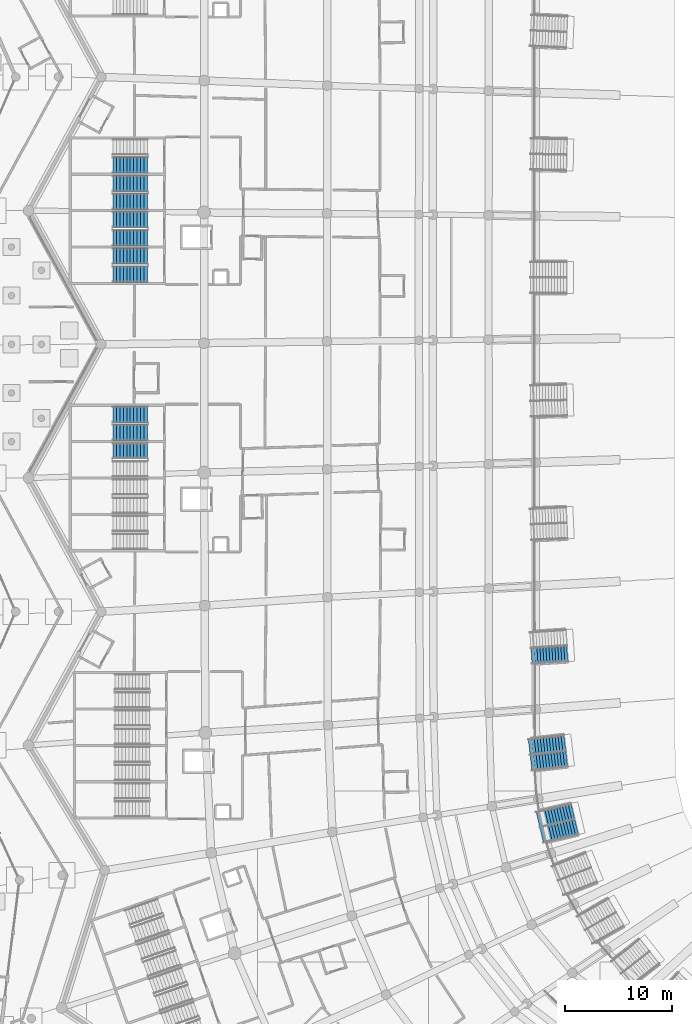
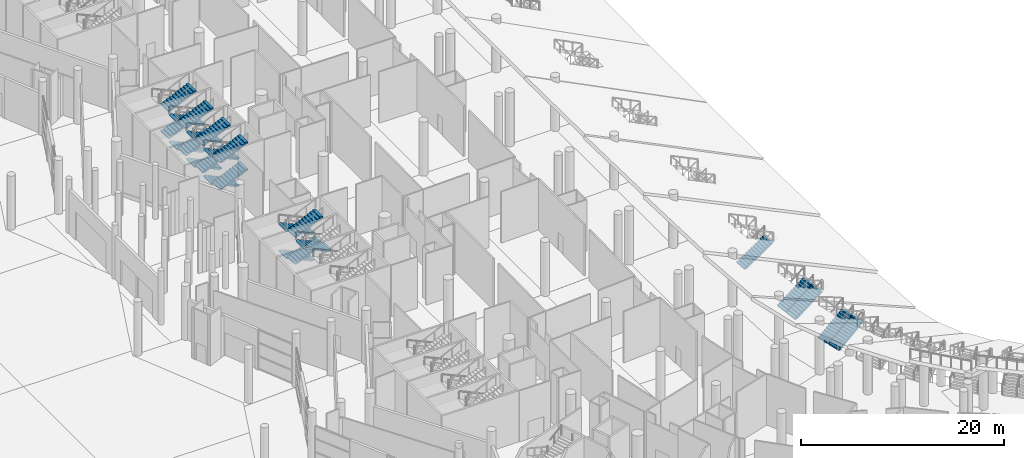
# One storey, part 164 of 255: 24 stair flights, 9 elements without a shape of their own.
"""IFC4 building model written with IfcOpenShell, lengths in metres."""

from ifc_helpers import new_model, si_unit, direction, frame, origin, place, context, subcontext, project, spatial, polyline, outline, extrude, material, type_object, element, aggregate, save


model = new_model("IFC4")

# Units and contexts
model_context = context("Model", 3, precision=1e-05, world=origin(), true_north=direction((0.0, 1.0)))
body_context = subcontext(model_context, "Body", "Model", "MODEL_VIEW")
ifc_project = project(units=[si_unit("LENGTHUNIT", "METRE"), si_unit("AREAUNIT", "SQUARE_METRE"), si_unit("VOLUMEUNIT", "CUBIC_METRE"), si_unit("PLANEANGLEUNIT", "RADIAN"), si_unit("MASSUNIT", "GRAM", prefix="KILO")], contexts=[model_context])

# Site, building, storey
site_placement = place(None, origin())
site = spatial("IfcSite", under=ifc_project, at=site_placement, CompositionType="ELEMENT")
building_placement = place(site_placement, origin())
building = spatial("IfcBuilding", under=site, at=building_placement, Name="Meseta Stadium", CompositionType="ELEMENT")
storey_placement = place(building_placement, origin())
storey = spatial("IfcBuildingStorey", under=building, at=storey_placement, Name="L00", CompositionType="ELEMENT", Elevation=0.0)

# Stair, stair flights
ifc_material_1 = material(Name="Concrete C40/50", Category="concrete")
stair_type_1 = type_object("IfcStairType", Name="Exit stair 4 flights 148 mm risers", PredefinedType="HALF_TURN_STAIR", material=ifc_material_1)
stair_1_placement = place(storey_placement, origin())
stair_1 = element("IfcStair", 1, at=stair_1_placement, inside=storey, type_object=stair_type_1, Name="ST65 L00", PredefinedType="HALF_TURN_STAIR")
ifc_material_2 = material(Name="Concrete C40/50", Category="concrete")
stair_flight_type_1 = type_object("IfcStairFlightType", Name="Exit stair flight 148 mm risers, 4 per storey", PredefinedType="STRAIGHT", material=ifc_material_2)
stair_flight_1_placement = place(storey_placement, frame((-93.5, 10.5, 1.625), z_axis=(0.0, 0.0, 1.0), x_axis=(1.0, 0.0, 0.0)))
stair_flight_1 = element("IfcStairFlight", 2, at=stair_flight_1_placement, type_object=stair_flight_type_1, Name="ST65 L00 flight 2", NumberOfRisers=11, NumberOfTreads=10, PredefinedType="STRAIGHT", RiserHeight=0.147727273, TreadLength=0.32, context=body_context, shape_type="SweptSolid", body=[
    extrude(outline(polyline([(0.0, 0.0), (0.0, 0.147705078125), (0.320068359375, 0.147705078125), (0.320068359375, 0.29541015625), (0.639892578125, 0.29541015625), (0.639892578125, 0.443115234375), (0.9599609375, 0.443115234375), (0.9599609375, 0.5908203125), (1.280029296875, 0.5908203125), (1.280029296875, 0.738525390625), (1.60009765625, 0.738525390625), (1.60009765625, 0.886474609375), (1.919921875, 0.886474609375), (1.919921875, 1.0341796875), (2.239990234375, 1.0341796875), (2.239990234375, 1.181884765625), (2.56005859375, 1.181884765625), (2.56005859375, 1.32958984375), (2.8798828125, 1.32958984375), (2.8798828125, 1.477294921875), (3.199951171875, 1.477294921875), (3.199951171875, 1.312255859375), (0.357666015625, 0.0), (0.0, 0.0)])), frame((0.0, 0.75, 0.0), z_axis=(0.0, -1.0, 0.0), x_axis=(1.0, 0.0, 0.0)), (0.0, 0.0, 1.0), 1.5),
])
stair_flight_2_placement = place(storey_placement, frame((-93.5, 10.5, 4.875), z_axis=(0.0, 0.0, 1.0), x_axis=(1.0, 0.0, 0.0)))
stair_flight_2 = element("IfcStairFlight", 3, at=stair_flight_2_placement, type_object=stair_flight_type_1, Name="ST65 L00 flight 4", NumberOfRisers=11, NumberOfTreads=10, PredefinedType="STRAIGHT", RiserHeight=0.147727273, TreadLength=0.32, context=body_context, shape_type="SweptSolid", body=[
    extrude(outline(polyline([(0.0, 0.0), (0.0, 0.147705078125), (0.320068359375, 0.147705078125), (0.320068359375, 0.29541015625), (0.639892578125, 0.29541015625), (0.639892578125, 0.443115234375), (0.9599609375, 0.443115234375), (0.9599609375, 0.5908203125), (1.280029296875, 0.5908203125), (1.280029296875, 0.738525390625), (1.60009765625, 0.738525390625), (1.60009765625, 0.886474609375), (1.919921875, 0.886474609375), (1.919921875, 1.0341796875), (2.239990234375, 1.0341796875), (2.239990234375, 1.181884765625), (2.56005859375, 1.181884765625), (2.56005859375, 1.32958984375), (2.8798828125, 1.32958984375), (2.8798828125, 1.477294921875), (3.199951171875, 1.477294921875), (3.199951171875, 1.312255859375), (0.357666015625, 0.0), (0.0, 0.0)])), frame((0.0, 0.75, 0.0), z_axis=(0.0, -1.0, 0.0), x_axis=(1.0, 0.0, 0.0)), (0.0, 0.0, 1.0), 1.5),
])
aggregate(stair_1, [stair_flight_1, stair_flight_2])

stair_2_placement = place(storey_placement, origin())
stair_2 = element("IfcStair", 4, at=stair_2_placement, inside=storey, type_object=stair_type_1, Name="ST66 L00", PredefinedType="HALF_TURN_STAIR")
stair_flight_3_placement = place(storey_placement, frame((-90.300048828125, 8.800048828125, 0.0), z_axis=(0.0, 0.0, 1.0), x_axis=(-1.0, 0.0, 0.0)))
stair_flight_3 = element("IfcStairFlight", 5, at=stair_flight_3_placement, type_object=stair_flight_type_1, Name="ST66 L00 flight 1", NumberOfRisers=11, NumberOfTreads=10, PredefinedType="STRAIGHT", RiserHeight=0.147727273, TreadLength=0.32, context=body_context, shape_type="SweptSolid", body=[
    extrude(outline(polyline([(0.0, 0.0), (0.0, 0.147705078125), (0.320068359375, 0.147705078125), (0.320068359375, 0.29541015625), (0.639892578125, 0.29541015625), (0.639892578125, 0.443115234375), (0.9599609375, 0.443115234375), (0.9599609375, 0.5908203125), (1.280029296875, 0.5908203125), (1.280029296875, 0.738525390625), (1.60009765625, 0.738525390625), (1.60009765625, 0.886474609375), (1.919921875, 0.886474609375), (1.919921875, 1.0341796875), (2.239990234375, 1.0341796875), (2.239990234375, 1.181884765625), (2.56005859375, 1.181884765625), (2.56005859375, 1.32958984375), (2.8798828125, 1.32958984375), (2.8798828125, 1.477294921875), (3.199951171875, 1.477294921875), (3.199951171875, 1.312255859375), (0.357666015625, 0.0), (0.0, 0.0)])), frame((0.0, 0.75, 0.0), z_axis=(0.0, -1.0, 0.0), x_axis=(1.0, 0.0, 0.0)), (0.0, 0.0, 1.0), 1.5),
])
stair_flight_4_placement = place(storey_placement, frame((-93.5, 7.10009765625, 1.625), z_axis=(0.0, 0.0, 1.0), x_axis=(1.0, 0.0, 0.0)))
stair_flight_4 = element("IfcStairFlight", 6, at=stair_flight_4_placement, type_object=stair_flight_type_1, Name="ST66 L00 flight 2", NumberOfRisers=11, NumberOfTreads=10, PredefinedType="STRAIGHT", RiserHeight=0.147727273, TreadLength=0.32, context=body_context, shape_type="SweptSolid", body=[
    extrude(outline(polyline([(0.0, 0.0), (0.0, 0.147705078125), (0.320068359375, 0.147705078125), (0.320068359375, 0.29541015625), (0.639892578125, 0.29541015625), (0.639892578125, 0.443115234375), (0.9599609375, 0.443115234375), (0.9599609375, 0.5908203125), (1.280029296875, 0.5908203125), (1.280029296875, 0.738525390625), (1.60009765625, 0.738525390625), (1.60009765625, 0.886474609375), (1.919921875, 0.886474609375), (1.919921875, 1.0341796875), (2.239990234375, 1.0341796875), (2.239990234375, 1.181884765625), (2.56005859375, 1.181884765625), (2.56005859375, 1.32958984375), (2.8798828125, 1.32958984375), (2.8798828125, 1.477294921875), (3.199951171875, 1.477294921875), (3.199951171875, 1.312255859375), (0.357666015625, 0.0), (0.0, 0.0)])), frame((0.0, 0.75, 0.0), z_axis=(0.0, -1.0, 0.0), x_axis=(1.0, 0.0, 0.0)), (0.0, 0.0, 1.0), 1.5),
])
stair_flight_5_placement = place(storey_placement, frame((-90.300048828125, 8.800048828125, 3.25), z_axis=(0.0, 0.0, 1.0), x_axis=(-1.0, 0.0, 0.0)))
stair_flight_5 = element("IfcStairFlight", 7, at=stair_flight_5_placement, type_object=stair_flight_type_1, Name="ST66 L00 flight 3", NumberOfRisers=11, NumberOfTreads=10, PredefinedType="STRAIGHT", RiserHeight=0.147727273, TreadLength=0.32, context=body_context, shape_type="SweptSolid", body=[
    extrude(outline(polyline([(0.0, 0.0), (0.0, 0.147705078125), (0.320068359375, 0.147705078125), (0.320068359375, 0.29541015625), (0.639892578125, 0.29541015625), (0.639892578125, 0.443115234375), (0.9599609375, 0.443115234375), (0.9599609375, 0.5908203125), (1.280029296875, 0.5908203125), (1.280029296875, 0.738525390625), (1.60009765625, 0.738525390625), (1.60009765625, 0.886474609375), (1.919921875, 0.886474609375), (1.919921875, 1.0341796875), (2.239990234375, 1.0341796875), (2.239990234375, 1.181884765625), (2.56005859375, 1.181884765625), (2.56005859375, 1.32958984375), (2.8798828125, 1.32958984375), (2.8798828125, 1.477294921875), (3.199951171875, 1.477294921875), (3.199951171875, 1.312255859375), (0.357666015625, 0.0), (0.0, 0.0)])), frame((0.0, 0.75, 0.0), z_axis=(0.0, -1.0, 0.0), x_axis=(1.0, 0.0, 0.0)), (0.0, 0.0, 1.0), 1.5),
])
stair_flight_6_placement = place(storey_placement, frame((-93.5, 7.10009765625, 4.875), z_axis=(0.0, 0.0, 1.0), x_axis=(1.0, 0.0, 0.0)))
stair_flight_6 = element("IfcStairFlight", 8, at=stair_flight_6_placement, type_object=stair_flight_type_1, Name="ST66 L00 flight 4", NumberOfRisers=11, NumberOfTreads=10, PredefinedType="STRAIGHT", RiserHeight=0.147727273, TreadLength=0.32, context=body_context, shape_type="SweptSolid", body=[
    extrude(outline(polyline([(0.0, 0.0), (0.0, 0.147705078125), (0.320068359375, 0.147705078125), (0.320068359375, 0.29541015625), (0.639892578125, 0.29541015625), (0.639892578125, 0.443115234375), (0.9599609375, 0.443115234375), (0.9599609375, 0.5908203125), (1.280029296875, 0.5908203125), (1.280029296875, 0.738525390625), (1.60009765625, 0.738525390625), (1.60009765625, 0.886474609375), (1.919921875, 0.886474609375), (1.919921875, 1.0341796875), (2.239990234375, 1.0341796875), (2.239990234375, 1.181884765625), (2.56005859375, 1.181884765625), (2.56005859375, 1.32958984375), (2.8798828125, 1.32958984375), (2.8798828125, 1.477294921875), (3.199951171875, 1.477294921875), (3.199951171875, 1.312255859375), (0.357666015625, 0.0), (0.0, 0.0)])), frame((0.0, 0.75, 0.0), z_axis=(0.0, -1.0, 0.0), x_axis=(1.0, 0.0, 0.0)), (0.0, 0.0, 1.0), 1.5),
])
aggregate(stair_2, [stair_flight_3, stair_flight_4, stair_flight_5, stair_flight_6])

stair_3_placement = place(storey_placement, origin())
stair_3 = element("IfcStair", 9, at=stair_3_placement, inside=storey, type_object=stair_type_1, Name="ST67 L00", PredefinedType="HALF_TURN_STAIR")
stair_flight_7_placement = place(storey_placement, frame((-90.300048828125, 5.39990234375, 0.0), z_axis=(0.0, 0.0, 1.0), x_axis=(-1.0, 0.0, 0.0)))
stair_flight_7 = element("IfcStairFlight", 10, at=stair_flight_7_placement, type_object=stair_flight_type_1, Name="ST67 L00 flight 1", NumberOfRisers=11, NumberOfTreads=10, PredefinedType="STRAIGHT", RiserHeight=0.147727273, TreadLength=0.32, context=body_context, shape_type="SweptSolid", body=[
    extrude(outline(polyline([(0.0, 0.0), (0.0, 0.147705078125), (0.320068359375, 0.147705078125), (0.320068359375, 0.29541015625), (0.639892578125, 0.29541015625), (0.639892578125, 0.443115234375), (0.9599609375, 0.443115234375), (0.9599609375, 0.5908203125), (1.280029296875, 0.5908203125), (1.280029296875, 0.738525390625), (1.60009765625, 0.738525390625), (1.60009765625, 0.886474609375), (1.919921875, 0.886474609375), (1.919921875, 1.0341796875), (2.239990234375, 1.0341796875), (2.239990234375, 1.181884765625), (2.56005859375, 1.181884765625), (2.56005859375, 1.32958984375), (2.8798828125, 1.32958984375), (2.8798828125, 1.477294921875), (3.199951171875, 1.477294921875), (3.199951171875, 1.312255859375), (0.357666015625, 0.0), (0.0, 0.0)])), frame((0.0, 0.75, 0.0), z_axis=(0.0, -1.0, 0.0), x_axis=(1.0, 0.0, 0.0)), (0.0, 0.0, 1.0), 1.5),
])
stair_flight_8_placement = place(storey_placement, frame((-93.5, 3.699951171875, 1.625), z_axis=(0.0, 0.0, 1.0), x_axis=(1.0, 0.0, 0.0)))
stair_flight_8 = element("IfcStairFlight", 11, at=stair_flight_8_placement, type_object=stair_flight_type_1, Name="ST67 L00 flight 2", NumberOfRisers=11, NumberOfTreads=10, PredefinedType="STRAIGHT", RiserHeight=0.147727273, TreadLength=0.32, context=body_context, shape_type="SweptSolid", body=[
    extrude(outline(polyline([(0.0, 0.0), (0.0, 0.147705078125), (0.320068359375, 0.147705078125), (0.320068359375, 0.29541015625), (0.639892578125, 0.29541015625), (0.639892578125, 0.443115234375), (0.9599609375, 0.443115234375), (0.9599609375, 0.5908203125), (1.280029296875, 0.5908203125), (1.280029296875, 0.738525390625), (1.60009765625, 0.738525390625), (1.60009765625, 0.886474609375), (1.919921875, 0.886474609375), (1.919921875, 1.0341796875), (2.239990234375, 1.0341796875), (2.239990234375, 1.181884765625), (2.56005859375, 1.181884765625), (2.56005859375, 1.32958984375), (2.8798828125, 1.32958984375), (2.8798828125, 1.477294921875), (3.199951171875, 1.477294921875), (3.199951171875, 1.312255859375), (0.357666015625, 0.0), (0.0, 0.0)])), frame((0.0, 0.75, 0.0), z_axis=(0.0, -1.0, 0.0), x_axis=(1.0, 0.0, 0.0)), (0.0, 0.0, 1.0), 1.5),
])
stair_flight_9_placement = place(storey_placement, frame((-90.300048828125, 5.39990234375, 3.25), z_axis=(0.0, 0.0, 1.0), x_axis=(-1.0, 0.0, 0.0)))
stair_flight_9 = element("IfcStairFlight", 12, at=stair_flight_9_placement, type_object=stair_flight_type_1, Name="ST67 L00 flight 3", NumberOfRisers=11, NumberOfTreads=10, PredefinedType="STRAIGHT", RiserHeight=0.147727273, TreadLength=0.32, context=body_context, shape_type="SweptSolid", body=[
    extrude(outline(polyline([(0.0, 0.0), (0.0, 0.147705078125), (0.320068359375, 0.147705078125), (0.320068359375, 0.29541015625), (0.639892578125, 0.29541015625), (0.639892578125, 0.443115234375), (0.9599609375, 0.443115234375), (0.9599609375, 0.5908203125), (1.280029296875, 0.5908203125), (1.280029296875, 0.738525390625), (1.60009765625, 0.738525390625), (1.60009765625, 0.886474609375), (1.919921875, 0.886474609375), (1.919921875, 1.0341796875), (2.239990234375, 1.0341796875), (2.239990234375, 1.181884765625), (2.56005859375, 1.181884765625), (2.56005859375, 1.32958984375), (2.8798828125, 1.32958984375), (2.8798828125, 1.477294921875), (3.199951171875, 1.477294921875), (3.199951171875, 1.312255859375), (0.357666015625, 0.0), (0.0, 0.0)])), frame((0.0, 0.75, 0.0), z_axis=(0.0, -1.0, 0.0), x_axis=(1.0, 0.0, 0.0)), (0.0, 0.0, 1.0), 1.5),
])
stair_flight_10_placement = place(storey_placement, frame((-93.5, 3.699951171875, 4.875), z_axis=(0.0, 0.0, 1.0), x_axis=(1.0, 0.0, 0.0)))
stair_flight_10 = element("IfcStairFlight", 13, at=stair_flight_10_placement, type_object=stair_flight_type_1, Name="ST67 L00 flight 4", NumberOfRisers=11, NumberOfTreads=10, PredefinedType="STRAIGHT", RiserHeight=0.147727273, TreadLength=0.32, context=body_context, shape_type="SweptSolid", body=[
    extrude(outline(polyline([(0.0, 0.0), (0.0, 0.147705078125), (0.320068359375, 0.147705078125), (0.320068359375, 0.29541015625), (0.639892578125, 0.29541015625), (0.639892578125, 0.443115234375), (0.9599609375, 0.443115234375), (0.9599609375, 0.5908203125), (1.280029296875, 0.5908203125), (1.280029296875, 0.738525390625), (1.60009765625, 0.738525390625), (1.60009765625, 0.886474609375), (1.919921875, 0.886474609375), (1.919921875, 1.0341796875), (2.239990234375, 1.0341796875), (2.239990234375, 1.181884765625), (2.56005859375, 1.181884765625), (2.56005859375, 1.32958984375), (2.8798828125, 1.32958984375), (2.8798828125, 1.477294921875), (3.199951171875, 1.477294921875), (3.199951171875, 1.312255859375), (0.357666015625, 0.0), (0.0, 0.0)])), frame((0.0, 0.75, 0.0), z_axis=(0.0, -1.0, 0.0), x_axis=(1.0, 0.0, 0.0)), (0.0, 0.0, 1.0), 1.5),
])
aggregate(stair_3, [stair_flight_7, stair_flight_8, stair_flight_9, stair_flight_10])

stair_4_placement = place(storey_placement, origin())
stair_4 = element("IfcStair", 14, at=stair_4_placement, inside=storey, type_object=stair_type_1, Name="ST68 L00", PredefinedType="HALF_TURN_STAIR")
stair_flight_11_placement = place(storey_placement, frame((-90.300048828125, 2.0, 0.0), z_axis=(0.0, 0.0, 1.0), x_axis=(-1.0, 0.0, 0.0)))
stair_flight_11 = element("IfcStairFlight", 15, at=stair_flight_11_placement, type_object=stair_flight_type_1, Name="ST68 L00 flight 1", NumberOfRisers=11, NumberOfTreads=10, PredefinedType="STRAIGHT", RiserHeight=0.147727273, TreadLength=0.32, context=body_context, shape_type="SweptSolid", body=[
    extrude(outline(polyline([(0.0, 0.0), (0.0, 0.147705078125), (0.320068359375, 0.147705078125), (0.320068359375, 0.29541015625), (0.639892578125, 0.29541015625), (0.639892578125, 0.443115234375), (0.9599609375, 0.443115234375), (0.9599609375, 0.5908203125), (1.280029296875, 0.5908203125), (1.280029296875, 0.738525390625), (1.60009765625, 0.738525390625), (1.60009765625, 0.886474609375), (1.919921875, 0.886474609375), (1.919921875, 1.0341796875), (2.239990234375, 1.0341796875), (2.239990234375, 1.181884765625), (2.56005859375, 1.181884765625), (2.56005859375, 1.32958984375), (2.8798828125, 1.32958984375), (2.8798828125, 1.477294921875), (3.199951171875, 1.477294921875), (3.199951171875, 1.312255859375), (0.357666015625, 0.0), (0.0, 0.0)])), frame((0.0, 0.75, 0.0), z_axis=(0.0, -1.0, 0.0), x_axis=(1.0, 0.0, 0.0)), (0.0, 0.0, 1.0), 1.5),
])
stair_flight_12_placement = place(storey_placement, frame((-93.5, 0.300048828125, 1.625), z_axis=(0.0, 0.0, 1.0), x_axis=(1.0, 0.0, 0.0)))
stair_flight_12 = element("IfcStairFlight", 16, at=stair_flight_12_placement, type_object=stair_flight_type_1, Name="ST68 L00 flight 2", NumberOfRisers=11, NumberOfTreads=10, PredefinedType="STRAIGHT", RiserHeight=0.147727273, TreadLength=0.32, context=body_context, shape_type="SweptSolid", body=[
    extrude(outline(polyline([(0.0, 0.0), (0.0, 0.147705078125), (0.320068359375, 0.147705078125), (0.320068359375, 0.29541015625), (0.639892578125, 0.29541015625), (0.639892578125, 0.443115234375), (0.9599609375, 0.443115234375), (0.9599609375, 0.5908203125), (1.280029296875, 0.5908203125), (1.280029296875, 0.738525390625), (1.60009765625, 0.738525390625), (1.60009765625, 0.886474609375), (1.919921875, 0.886474609375), (1.919921875, 1.0341796875), (2.239990234375, 1.0341796875), (2.239990234375, 1.181884765625), (2.56005859375, 1.181884765625), (2.56005859375, 1.32958984375), (2.8798828125, 1.32958984375), (2.8798828125, 1.477294921875), (3.199951171875, 1.477294921875), (3.199951171875, 1.312255859375), (0.357666015625, 0.0), (0.0, 0.0)])), frame((0.0, 0.75, 0.0), z_axis=(0.0, -1.0, 0.0), x_axis=(1.0, 0.0, 0.0)), (0.0, 0.0, 1.0), 1.5),
])
stair_flight_13_placement = place(storey_placement, frame((-90.300048828125, 2.0, 3.25), z_axis=(0.0, 0.0, 1.0), x_axis=(-1.0, 0.0, 0.0)))
stair_flight_13 = element("IfcStairFlight", 17, at=stair_flight_13_placement, type_object=stair_flight_type_1, Name="ST68 L00 flight 3", NumberOfRisers=11, NumberOfTreads=10, PredefinedType="STRAIGHT", RiserHeight=0.147727273, TreadLength=0.32, context=body_context, shape_type="SweptSolid", body=[
    extrude(outline(polyline([(0.0, 0.0), (0.0, 0.147705078125), (0.320068359375, 0.147705078125), (0.320068359375, 0.29541015625), (0.639892578125, 0.29541015625), (0.639892578125, 0.443115234375), (0.9599609375, 0.443115234375), (0.9599609375, 0.5908203125), (1.280029296875, 0.5908203125), (1.280029296875, 0.738525390625), (1.60009765625, 0.738525390625), (1.60009765625, 0.886474609375), (1.919921875, 0.886474609375), (1.919921875, 1.0341796875), (2.239990234375, 1.0341796875), (2.239990234375, 1.181884765625), (2.56005859375, 1.181884765625), (2.56005859375, 1.32958984375), (2.8798828125, 1.32958984375), (2.8798828125, 1.477294921875), (3.199951171875, 1.477294921875), (3.199951171875, 1.312255859375), (0.357666015625, 0.0), (0.0, 0.0)])), frame((0.0, 0.75, 0.0), z_axis=(0.0, -1.0, 0.0), x_axis=(1.0, 0.0, 0.0)), (0.0, 0.0, 1.0), 1.5),
])
stair_flight_14_placement = place(storey_placement, frame((-93.5, 0.300048828125, 4.875), z_axis=(0.0, 0.0, 1.0), x_axis=(1.0, 0.0, 0.0)))
stair_flight_14 = element("IfcStairFlight", 18, at=stair_flight_14_placement, type_object=stair_flight_type_1, Name="ST68 L00 flight 4", NumberOfRisers=11, NumberOfTreads=10, PredefinedType="STRAIGHT", RiserHeight=0.147727273, TreadLength=0.32, context=body_context, shape_type="SweptSolid", body=[
    extrude(outline(polyline([(0.0, 0.0), (0.0, 0.147705078125), (0.320068359375, 0.147705078125), (0.320068359375, 0.29541015625), (0.639892578125, 0.29541015625), (0.639892578125, 0.443115234375), (0.9599609375, 0.443115234375), (0.9599609375, 0.5908203125), (1.280029296875, 0.5908203125), (1.280029296875, 0.738525390625), (1.60009765625, 0.738525390625), (1.60009765625, 0.886474609375), (1.919921875, 0.886474609375), (1.919921875, 1.0341796875), (2.239990234375, 1.0341796875), (2.239990234375, 1.181884765625), (2.56005859375, 1.181884765625), (2.56005859375, 1.32958984375), (2.8798828125, 1.32958984375), (2.8798828125, 1.477294921875), (3.199951171875, 1.477294921875), (3.199951171875, 1.312255859375), (0.357666015625, 0.0), (0.0, 0.0)])), frame((0.0, 0.75, 0.0), z_axis=(0.0, -1.0, 0.0), x_axis=(1.0, 0.0, 0.0)), (0.0, 0.0, 1.0), 1.5),
])
aggregate(stair_4, [stair_flight_11, stair_flight_12, stair_flight_13, stair_flight_14])

stair_5_placement = place(storey_placement, origin())
stair_5 = element("IfcStair", 19, at=stair_5_placement, inside=storey, type_object=stair_type_1, Name="ST69 L00", PredefinedType="HALF_TURN_STAIR")
stair_flight_15_placement = place(storey_placement, frame((-90.300048828125, -12.800048828125, 0.0), z_axis=(0.0, 0.0, 1.0), x_axis=(-1.0, 0.0, 0.0)))
stair_flight_15 = element("IfcStairFlight", 20, at=stair_flight_15_placement, type_object=stair_flight_type_1, Name="ST69 L00 flight 1", NumberOfRisers=11, NumberOfTreads=10, PredefinedType="STRAIGHT", RiserHeight=0.147727273, TreadLength=0.32, context=body_context, shape_type="SweptSolid", body=[
    extrude(outline(polyline([(0.0, 0.0), (0.0, 0.147705078125), (0.320068359375, 0.147705078125), (0.320068359375, 0.29541015625), (0.639892578125, 0.29541015625), (0.639892578125, 0.443115234375), (0.9599609375, 0.443115234375), (0.9599609375, 0.5908203125), (1.280029296875, 0.5908203125), (1.280029296875, 0.738525390625), (1.60009765625, 0.738525390625), (1.60009765625, 0.886474609375), (1.919921875, 0.886474609375), (1.919921875, 1.0341796875), (2.239990234375, 1.0341796875), (2.239990234375, 1.181884765625), (2.56005859375, 1.181884765625), (2.56005859375, 1.32958984375), (2.8798828125, 1.32958984375), (2.8798828125, 1.477294921875), (3.199951171875, 1.477294921875), (3.199951171875, 1.312255859375), (0.357666015625, 0.0), (0.0, 0.0)])), frame((0.0, 0.75, 0.0), z_axis=(0.0, -1.0, 0.0), x_axis=(1.0, 0.0, 0.0)), (0.0, 0.0, 1.0), 1.5),
])
stair_flight_16_placement = place(storey_placement, frame((-93.5, -14.5, 1.625), z_axis=(0.0, 0.0, 1.0), x_axis=(1.0, 0.0, 0.0)))
stair_flight_16 = element("IfcStairFlight", 21, at=stair_flight_16_placement, type_object=stair_flight_type_1, Name="ST69 L00 flight 2", NumberOfRisers=11, NumberOfTreads=10, PredefinedType="STRAIGHT", RiserHeight=0.147727273, TreadLength=0.32, context=body_context, shape_type="SweptSolid", body=[
    extrude(outline(polyline([(0.0, 0.0), (0.0, 0.147705078125), (0.320068359375, 0.147705078125), (0.320068359375, 0.29541015625), (0.639892578125, 0.29541015625), (0.639892578125, 0.443115234375), (0.9599609375, 0.443115234375), (0.9599609375, 0.5908203125), (1.280029296875, 0.5908203125), (1.280029296875, 0.738525390625), (1.60009765625, 0.738525390625), (1.60009765625, 0.886474609375), (1.919921875, 0.886474609375), (1.919921875, 1.0341796875), (2.239990234375, 1.0341796875), (2.239990234375, 1.181884765625), (2.56005859375, 1.181884765625), (2.56005859375, 1.32958984375), (2.8798828125, 1.32958984375), (2.8798828125, 1.477294921875), (3.199951171875, 1.477294921875), (3.199951171875, 1.312255859375), (0.357666015625, 0.0), (0.0, 0.0)])), frame((0.0, 0.75, 0.0), z_axis=(0.0, -1.0, 0.0), x_axis=(1.0, 0.0, 0.0)), (0.0, 0.0, 1.0), 1.5),
])
stair_flight_17_placement = place(storey_placement, frame((-90.300048828125, -12.800048828125, 3.25), z_axis=(0.0, 0.0, 1.0), x_axis=(-1.0, 0.0, 0.0)))
stair_flight_17 = element("IfcStairFlight", 22, at=stair_flight_17_placement, type_object=stair_flight_type_1, Name="ST69 L00 flight 3", NumberOfRisers=11, NumberOfTreads=10, PredefinedType="STRAIGHT", RiserHeight=0.147727273, TreadLength=0.32, context=body_context, shape_type="SweptSolid", body=[
    extrude(outline(polyline([(0.0, 0.0), (0.0, 0.147705078125), (0.320068359375, 0.147705078125), (0.320068359375, 0.29541015625), (0.639892578125, 0.29541015625), (0.639892578125, 0.443115234375), (0.9599609375, 0.443115234375), (0.9599609375, 0.5908203125), (1.280029296875, 0.5908203125), (1.280029296875, 0.738525390625), (1.60009765625, 0.738525390625), (1.60009765625, 0.886474609375), (1.919921875, 0.886474609375), (1.919921875, 1.0341796875), (2.239990234375, 1.0341796875), (2.239990234375, 1.181884765625), (2.56005859375, 1.181884765625), (2.56005859375, 1.32958984375), (2.8798828125, 1.32958984375), (2.8798828125, 1.477294921875), (3.199951171875, 1.477294921875), (3.199951171875, 1.312255859375), (0.357666015625, 0.0), (0.0, 0.0)])), frame((0.0, 0.75, 0.0), z_axis=(0.0, -1.0, 0.0), x_axis=(1.0, 0.0, 0.0)), (0.0, 0.0, 1.0), 1.5),
])
stair_flight_18_placement = place(storey_placement, frame((-93.5, -14.5, 4.875), z_axis=(0.0, 0.0, 1.0), x_axis=(1.0, 0.0, 0.0)))
stair_flight_18 = element("IfcStairFlight", 23, at=stair_flight_18_placement, type_object=stair_flight_type_1, Name="ST69 L00 flight 4", NumberOfRisers=11, NumberOfTreads=10, PredefinedType="STRAIGHT", RiserHeight=0.147727273, TreadLength=0.32, context=body_context, shape_type="SweptSolid", body=[
    extrude(outline(polyline([(0.0, 0.0), (0.0, 0.147705078125), (0.320068359375, 0.147705078125), (0.320068359375, 0.29541015625), (0.639892578125, 0.29541015625), (0.639892578125, 0.443115234375), (0.9599609375, 0.443115234375), (0.9599609375, 0.5908203125), (1.280029296875, 0.5908203125), (1.280029296875, 0.738525390625), (1.60009765625, 0.738525390625), (1.60009765625, 0.886474609375), (1.919921875, 0.886474609375), (1.919921875, 1.0341796875), (2.239990234375, 1.0341796875), (2.239990234375, 1.181884765625), (2.56005859375, 1.181884765625), (2.56005859375, 1.32958984375), (2.8798828125, 1.32958984375), (2.8798828125, 1.477294921875), (3.199951171875, 1.477294921875), (3.199951171875, 1.312255859375), (0.357666015625, 0.0), (0.0, 0.0)])), frame((0.0, 0.75, 0.0), z_axis=(0.0, -1.0, 0.0), x_axis=(1.0, 0.0, 0.0)), (0.0, 0.0, 1.0), 1.5),
])
aggregate(stair_5, [stair_flight_15, stair_flight_16, stair_flight_17, stair_flight_18])

# Stair, stair flight
stair_6_placement = place(storey_placement, origin())
stair_6 = element("IfcStair", 24, at=stair_6_placement, inside=storey, type_object=stair_type_1, Name="ST70 L00", PredefinedType="HALF_TURN_STAIR")
stair_flight_19_placement = place(storey_placement, frame((-90.300048828125, -16.199951171875, 3.25), z_axis=(0.0, 0.0, 1.0), x_axis=(-1.0, 0.0, 0.0)))
stair_flight_19 = element("IfcStairFlight", 25, at=stair_flight_19_placement, type_object=stair_flight_type_1, Name="ST70 L00 flight 3", NumberOfRisers=11, NumberOfTreads=10, PredefinedType="STRAIGHT", RiserHeight=0.147727273, TreadLength=0.32, context=body_context, shape_type="SweptSolid", body=[
    extrude(outline(polyline([(0.0, 0.0), (0.0, 0.147705078125), (0.320068359375, 0.147705078125), (0.320068359375, 0.29541015625), (0.639892578125, 0.29541015625), (0.639892578125, 0.443115234375), (0.9599609375, 0.443115234375), (0.9599609375, 0.5908203125), (1.280029296875, 0.5908203125), (1.280029296875, 0.738525390625), (1.60009765625, 0.738525390625), (1.60009765625, 0.886474609375), (1.919921875, 0.886474609375), (1.919921875, 1.0341796875), (2.239990234375, 1.0341796875), (2.239990234375, 1.181884765625), (2.56005859375, 1.181884765625), (2.56005859375, 1.32958984375), (2.8798828125, 1.32958984375), (2.8798828125, 1.477294921875), (3.199951171875, 1.477294921875), (3.199951171875, 1.312255859375), (0.357666015625, 0.0), (0.0, 0.0)])), frame((0.0, 0.75, 0.0), z_axis=(0.0, -1.0, 0.0), x_axis=(1.0, 0.0, 0.0)), (0.0, 0.0, 1.0), 1.5),
])
aggregate(stair_6, [stair_flight_19])

ifc_material_3 = material(Name="Concrete C40/50", Category="concrete")
stair_type_2 = type_object("IfcStairType", Name="Vomitory stair 3000", PredefinedType="STRAIGHT_RUN_STAIR", material=ifc_material_3)
stair_7_placement = place(storey_placement, origin())
stair_7 = element("IfcStair", 26, at=stair_7_placement, inside=storey, type_object=stair_type_2, Name="Vomitory V-lower-36", PredefinedType="STRAIGHT_RUN_STAIR")
ifc_material_4 = material(Name="Concrete C40/50", Category="concrete")
stair_flight_type_2 = type_object("IfcStairFlightType", Name="Vomitory stair flight 1450", PredefinedType="STRAIGHT", material=ifc_material_4)
stair_flight_20_placement = place(storey_placement, frame((-54.37939453125, -35.40673828125, 0.0), z_axis=(0.0, 0.0, 1.0), x_axis=(0.997842912451, 0.065646950207, 0.0)))
stair_flight_20 = element("IfcStairFlight", 27, at=stair_flight_20_placement, type_object=stair_flight_type_2, Name="Vomitory V-lower-36 flight 2", NumberOfRisers=13, NumberOfTreads=12, PredefinedType="STRAIGHT", RiserHeight=0.165438, TreadLength=0.28, context=body_context, shape_type="SweptSolid", body=[
    extrude(outline(polyline([(0.0, 0.0), (0.0, 0.16552734375), (0.280029296875, 0.16552734375), (0.280029296875, 0.330810546875), (0.56005859375, 0.330810546875), (0.56005859375, 0.496337890625), (0.840087890625, 0.496337890625), (0.840087890625, 0.661865234375), (1.1201171875, 0.661865234375), (1.1201171875, 0.8271484375), (1.39990234375, 0.8271484375), (1.39990234375, 0.99267578125), (1.679931640625, 0.99267578125), (1.679931640625, 1.157958984375), (1.9599609375, 1.157958984375), (1.9599609375, 1.323486328125), (2.239990234375, 1.323486328125), (2.239990234375, 1.489013671875), (2.52001953125, 1.489013671875), (2.52001953125, 1.654296875), (2.800048828125, 1.654296875), (2.800048828125, 1.81982421875), (3.080078125, 1.81982421875), (3.080078125, 1.9853515625), (3.360107421875, 1.9853515625), (3.360107421875, 1.81103515625), (0.294677734375, 0.0), (0.0, 0.0)])), frame((0.0, 0.72509765625, 0.0), z_axis=(0.0, -1.0, 0.0), x_axis=(1.0, 0.0, 0.0)), (0.0, 0.0, 1.0), 1.449951171875),
])
aggregate(stair_7, [stair_flight_20])

# Stair, stair flights
stair_8_placement = place(storey_placement, origin())
stair_8 = element("IfcStair", 28, at=stair_8_placement, inside=storey, type_object=stair_type_2, Name="Vomitory V-lower-37", PredefinedType="STRAIGHT_RUN_STAIR")
stair_flight_21_placement = place(storey_placement, frame((-54.60009765625, -43.8671875, 0.0), z_axis=(0.0, 0.0, 1.0), x_axis=(0.993015017931, 0.117988025512, 0.0)))
stair_flight_21 = element("IfcStairFlight", 29, at=stair_flight_21_placement, type_object=stair_flight_type_2, Name="Vomitory V-lower-37 flight 1", NumberOfRisers=13, NumberOfTreads=12, PredefinedType="STRAIGHT", RiserHeight=0.172959, TreadLength=0.28, context=body_context, shape_type="SweptSolid", body=[
    extrude(outline(polyline([(0.0, 0.0), (0.0, 0.1728515625), (0.280029296875, 0.1728515625), (0.280029296875, 0.345947265625), (0.56005859375, 0.345947265625), (0.56005859375, 0.518798828125), (0.840087890625, 0.518798828125), (0.840087890625, 0.69189453125), (1.1201171875, 0.69189453125), (1.1201171875, 0.86474609375), (1.39990234375, 0.86474609375), (1.39990234375, 1.037841796875), (1.679931640625, 1.037841796875), (1.679931640625, 1.210693359375), (1.9599609375, 1.210693359375), (1.9599609375, 1.3837890625), (2.239990234375, 1.3837890625), (2.239990234375, 1.556640625), (2.52001953125, 1.556640625), (2.52001953125, 1.7294921875), (2.800048828125, 1.7294921875), (2.800048828125, 1.902587890625), (3.080078125, 1.902587890625), (3.080078125, 2.075439453125), (3.360107421875, 2.075439453125), (3.360107421875, 1.8994140625), (0.28515625, 0.0), (0.0, 0.0)])), frame((0.0, 0.72509765625, 0.0), z_axis=(0.0, -1.0, 0.0), x_axis=(1.0, 0.0, 0.0)), (0.0, 0.0, 1.0), 1.449951171875),
])
stair_flight_22_placement = place(storey_placement, frame((-54.417236328125, -45.40625, 0.0), z_axis=(0.0, 0.0, 1.0), x_axis=(0.993015017931, 0.117988025512, 0.0)))
stair_flight_22 = element("IfcStairFlight", 30, at=stair_flight_22_placement, type_object=stair_flight_type_2, Name="Vomitory V-lower-37 flight 2", NumberOfRisers=13, NumberOfTreads=12, PredefinedType="STRAIGHT", RiserHeight=0.172959, TreadLength=0.28, context=body_context, shape_type="SweptSolid", body=[
    extrude(outline(polyline([(0.0, 0.0), (0.0, 0.1728515625), (0.280029296875, 0.1728515625), (0.280029296875, 0.345947265625), (0.56005859375, 0.345947265625), (0.56005859375, 0.518798828125), (0.840087890625, 0.518798828125), (0.840087890625, 0.69189453125), (1.1201171875, 0.69189453125), (1.1201171875, 0.86474609375), (1.39990234375, 0.86474609375), (1.39990234375, 1.037841796875), (1.679931640625, 1.037841796875), (1.679931640625, 1.210693359375), (1.9599609375, 1.210693359375), (1.9599609375, 1.3837890625), (2.239990234375, 1.3837890625), (2.239990234375, 1.556640625), (2.52001953125, 1.556640625), (2.52001953125, 1.7294921875), (2.800048828125, 1.7294921875), (2.800048828125, 1.902587890625), (3.080078125, 1.902587890625), (3.080078125, 2.075439453125), (3.360107421875, 2.075439453125), (3.360107421875, 1.8994140625), (0.28515625, 0.0), (0.0, 0.0)])), frame((0.0, 0.72509765625, 0.0), z_axis=(0.0, -1.0, 0.0), x_axis=(1.0, 0.0, 0.0)), (0.0, 0.0, 1.0), 1.449951171875),
])
aggregate(stair_8, [stair_flight_21, stair_flight_22])

stair_9_placement = place(storey_placement, origin())
stair_9 = element("IfcStair", 31, at=stair_9_placement, inside=storey, type_object=stair_type_2, Name="Vomitory V-lower-38", PredefinedType="STRAIGHT_RUN_STAIR")
stair_flight_23_placement = place(storey_placement, frame((-53.78466796875, -50.648193359375, 0.0), z_axis=(0.0, 0.0, 1.0), x_axis=(0.973256309483, 0.229721910255, 0.0)))
stair_flight_23 = element("IfcStairFlight", 32, at=stair_flight_23_placement, type_object=stair_flight_type_2, Name="Vomitory V-lower-38 flight 1", NumberOfRisers=13, NumberOfTreads=12, PredefinedType="STRAIGHT", RiserHeight=0.164433, TreadLength=0.28, context=body_context, shape_type="SweptSolid", body=[
    extrude(outline(polyline([(0.0, 0.0), (0.0, 0.16455078125), (0.280029296875, 0.16455078125), (0.280029296875, 0.328857421875), (0.56005859375, 0.328857421875), (0.56005859375, 0.493408203125), (0.840087890625, 0.493408203125), (0.840087890625, 0.65771484375), (1.1201171875, 0.65771484375), (1.1201171875, 0.822265625), (1.39990234375, 0.822265625), (1.39990234375, 0.986572265625), (1.679931640625, 0.986572265625), (1.679931640625, 1.151123046875), (1.9599609375, 1.151123046875), (1.9599609375, 1.3154296875), (2.239990234375, 1.3154296875), (2.239990234375, 1.47998046875), (2.52001953125, 1.47998046875), (2.52001953125, 1.644287109375), (2.800048828125, 1.644287109375), (2.800048828125, 1.808837890625), (3.080078125, 1.808837890625), (3.080078125, 1.97314453125), (3.360107421875, 1.97314453125), (3.360107421875, 1.79931640625), (0.2958984375, 0.0), (0.0, 0.0)])), frame((0.0, 0.72509765625, 0.0), z_axis=(0.0, -1.0, 0.0), x_axis=(1.0, 0.0, 0.0)), (0.0, 0.0, 1.0), 1.449951171875),
])
stair_flight_24_placement = place(storey_placement, frame((-53.428466796875, -52.15673828125, 0.0), z_axis=(0.0, 0.0, 1.0), x_axis=(0.973256309483, 0.229721910255, 0.0)))
stair_flight_24 = element("IfcStairFlight", 33, at=stair_flight_24_placement, type_object=stair_flight_type_2, Name="Vomitory V-lower-38 flight 2", NumberOfRisers=13, NumberOfTreads=12, PredefinedType="STRAIGHT", RiserHeight=0.164433, TreadLength=0.28, context=body_context, shape_type="SweptSolid", body=[
    extrude(outline(polyline([(0.0, 0.0), (0.0, 0.16455078125), (0.280029296875, 0.16455078125), (0.280029296875, 0.328857421875), (0.56005859375, 0.328857421875), (0.56005859375, 0.493408203125), (0.840087890625, 0.493408203125), (0.840087890625, 0.65771484375), (1.1201171875, 0.65771484375), (1.1201171875, 0.822265625), (1.39990234375, 0.822265625), (1.39990234375, 0.986572265625), (1.679931640625, 0.986572265625), (1.679931640625, 1.151123046875), (1.9599609375, 1.151123046875), (1.9599609375, 1.3154296875), (2.239990234375, 1.3154296875), (2.239990234375, 1.47998046875), (2.52001953125, 1.47998046875), (2.52001953125, 1.644287109375), (2.800048828125, 1.644287109375), (2.800048828125, 1.808837890625), (3.080078125, 1.808837890625), (3.080078125, 1.97314453125), (3.360107421875, 1.97314453125), (3.360107421875, 1.79931640625), (0.2958984375, 0.0), (0.0, 0.0)])), frame((0.0, 0.72509765625, 0.0), z_axis=(0.0, -1.0, 0.0), x_axis=(1.0, 0.0, 0.0)), (0.0, 0.0, 1.0), 1.449951171875),
])
aggregate(stair_9, [stair_flight_23, stair_flight_24])

save(model, "model.ifc")
